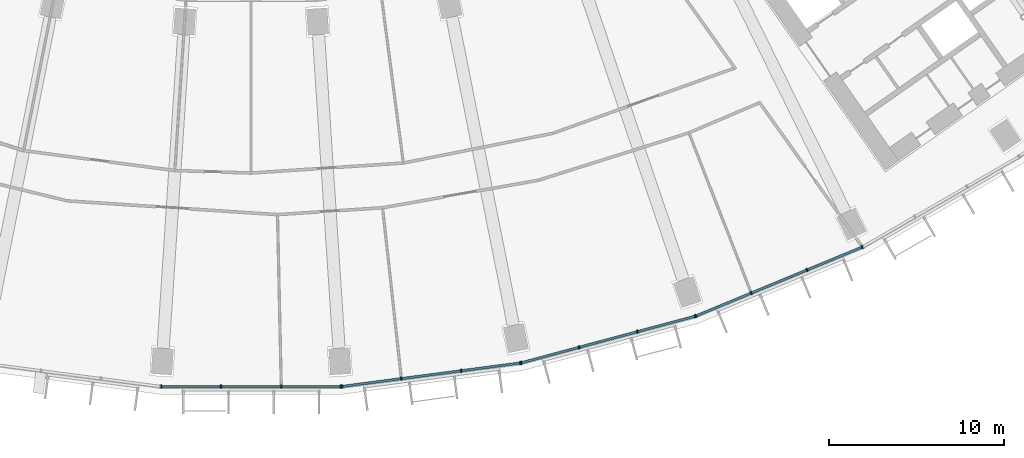
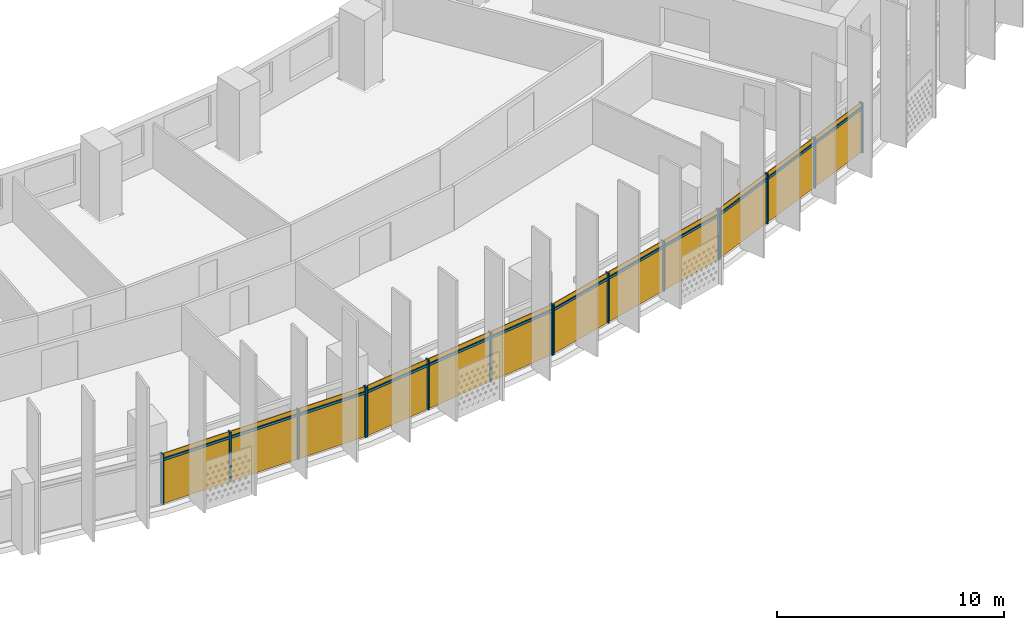
# One storey, part 21 of 33: 28 members, 4 curtain walls.
"""IFC4 building model written with IfcOpenShell, lengths in metres."""

import ifcopenshell
import ifcopenshell.guid

model = None  # the IFC model being written
_history = None  # IfcOwnerHistory: only IFC2X3 demands one
_inside = {}  # id of a spatial element -> (the spatial element, [elements in it])
_under = {}  # id of a project, library or spatial element -> (it, [spatial elements below it])
_declared = {}  # id of a project -> (the project, [libraries it declares])
_typed = {}  # id of a type object -> (the type object, [elements of that type])
_made_of = {}  # id of a material, layer set ... -> (it, [elements and type objects made of it])


def new_model(schema):
    """Start an empty IFC model of exactly this schema.

    Asked for "IFC4X3", IfcOpenShell would pick the latest addendum, in which some entities
    have other attributes; the version numbers below select the first issue.
    IFC2X3 requires an IfcOwnerHistory on every rooted entity: one is made here for all.
    """
    global model, _history
    if schema == "IFC4X3":
        model = ifcopenshell.file(schema_version=(4, 3, 0, 0))
    else:
        model = ifcopenshell.file(schema=schema)
    _inside.clear()
    _under.clear()
    _declared.clear()
    _typed.clear()
    _made_of.clear()
    _history = None
    if model.schema == "IFC2X3":
        org = make("IfcOrganization", Name="unknown")
        user = make(
            "IfcPersonAndOrganization",
            ThePerson=make("IfcPerson", FamilyName="unknown"),
            TheOrganization=org,
        )
        app = make(
            "IfcApplication",
            ApplicationDeveloper=org,
            Version="unknown",
            ApplicationFullName="unknown",
            ApplicationIdentifier="unknown",
        )
        _history = make(
            "IfcOwnerHistory",
            OwningUser=user,
            OwningApplication=app,
            ChangeAction="ADDED",
            CreationDate=0,
        )
    return model


def make(cls, **values):
    """One entity of the class cls with the attributes given. An attribute that is None is left unset."""
    return model.create_entity(
        cls, **{name: value for name, value in values.items() if value is not None}
    )


def rooted(cls, **values):
    """An entity with a GlobalId (a new one), such as an element, a storey or a relation."""
    return make(cls, GlobalId=ifcopenshell.guid.new(), OwnerHistory=_history, **values)


def si_unit(unit_type, name, prefix=None):
    """IfcSIUnit, for example si_unit("LENGTHUNIT", "METRE", prefix="MILLI")."""
    return make("IfcSIUnit", UnitType=unit_type, Prefix=prefix, Name=name)


def assignment(units):
    """IfcUnitAssignment: the units of a project."""
    return None if units is None else make("IfcUnitAssignment", Units=units)


def point(xyz):
    """IfcCartesianPoint."""
    return None if xyz is None else make("IfcCartesianPoint", Coordinates=xyz)


def direction(xyz):
    """IfcDirection."""
    return None if xyz is None else make("IfcDirection", DirectionRatios=xyz)


def frame(location, z_axis=None, x_axis=None):
    """IfcAxis2Placement3D, a coordinate frame: its origin and axes. An axis left out is left unset."""
    return make(
        "IfcAxis2Placement3D",
        Location=point(location),
        Axis=direction(z_axis),
        RefDirection=direction(x_axis),
    )


def frame_2d(location, x_axis=None):
    """IfcAxis2Placement2D, a coordinate frame in the plane: its origin and x axis."""
    return make(
        "IfcAxis2Placement2D", Location=point(location), RefDirection=direction(x_axis)
    )


def origin():
    """The frame at (0, 0, 0) with its axes left unset."""
    return frame((0.0, 0.0, 0.0))


def origin_2d():
    """The frame at (0, 0) in the plane with its x axis left unset."""
    return frame_2d((0.0, 0.0))


def place(relative_to, where):
    """IfcLocalPlacement: puts the frame where relative to a parent placement (None: the world)."""
    return make(
        "IfcLocalPlacement", PlacementRelTo=relative_to, RelativePlacement=where
    )


def context(
    kind, dimensions, precision=None, world=None, true_north=None, identifier=None
):
    """IfcGeometricRepresentationContext, for example the 3D "Model" context."""
    return make(
        "IfcGeometricRepresentationContext",
        ContextIdentifier=identifier,
        ContextType=kind,
        CoordinateSpaceDimension=dimensions,
        Precision=precision,
        WorldCoordinateSystem=world,
        TrueNorth=true_north,
    )


def subcontext(parent, identifier, kind, view, scale=None):
    """IfcGeometricRepresentationSubContext, for example "Body" below "Model"."""
    return make(
        "IfcGeometricRepresentationSubContext",
        ContextIdentifier=identifier,
        ContextType=kind,
        ParentContext=parent,
        TargetScale=scale,
        TargetView=view,
    )


def project(units=None, contexts=None):
    """IfcProject with its units and contexts."""
    return rooted(
        "IfcProject",
        Name="project",
        RepresentationContexts=contexts,
        UnitsInContext=assignment(units),
    )


def spatial(cls, under=None, at=None, **own):
    """A site, building, storey or space (cls), placed at a placement, below another one or the project."""
    s = rooted(cls, ObjectPlacement=at, **own)
    if under is not None:
        _under.setdefault(under.id(), (under, []))[1].append(s)
    return s


def profile(cls, at=None, kind="AREA", **sizes):
    """A parametric profile (cls). Its sizes go by their IFC names, for example OverallWidth=200.0."""
    return make(cls, ProfileType=kind, Position=at, **sizes)


def rectangle(**sizes):
    """IfcRectangleProfileDef."""
    return profile("IfcRectangleProfileDef", **sizes)


def extrude(swept, where, along, depth):
    """IfcExtrudedAreaSolid: the profile swept, set in the frame where, extruded along a direction by depth."""
    return make(
        "IfcExtrudedAreaSolid",
        SweptArea=swept,
        Position=where,
        ExtrudedDirection=direction(along),
        Depth=depth,
    )


def shape(context_of_items, identifier, shape_type, items):
    """IfcShapeRepresentation: the items that make up one representation, for example the "Body"."""
    return make(
        "IfcShapeRepresentation",
        ContextOfItems=context_of_items,
        RepresentationIdentifier=identifier,
        RepresentationType=shape_type,
        Items=items,
    )


def material(Name=None, Category=None):
    """IfcMaterial."""
    return make("IfcMaterial", Name=Name, Category=Category)


def material_profile(
    of_material, cross_section, Name=None, Category=None, Priority=None
):
    """IfcMaterialProfile: a cross section and its material."""
    return make(
        "IfcMaterialProfile",
        Name=Name,
        Material=of_material,
        Profile=cross_section,
        Priority=Priority,
        Category=Category,
    )


def profile_set(profiles, Name=None, composite=None):
    """IfcMaterialProfileSet."""
    return make(
        "IfcMaterialProfileSet",
        Name=Name,
        MaterialProfiles=profiles,
        CompositeProfile=composite,
    )


def made_of(thing, what):
    """Note that an element or type object is made of a material, layer set ...; save() writes the relation."""
    if what is not None:
        _made_of.setdefault(what.id(), (what, []))[1].append(thing)
    return thing


def type_object(cls, material=None, **own):
    """A type object (cls), such as IfcWallType, which elements share."""
    return made_of(rooted(cls, **own), material)


def element(
    cls,
    number,
    at=None,
    inside=None,
    cuts=None,
    type_object=None,
    material=None,
    context=None,
    identifier="Body",
    shape_type=None,
    held_by="IfcProductDefinitionShape",
    body=None,
    shapes=None,
    **own,
):
    """One element of the class cls, such as IfcWall. Its Tag is "e" and its number.

    at: its placement. inside: the storey or other place that contains it. cuts: it is an
    opening in that element (IfcRelVoidsElement). A single representation is given by context,
    identifier, shape_type and body (its items); several are given by shapes. held_by: the class
    of the entity that holds the representations. save() writes the other relations.
    """
    e = rooted(cls, Tag="e%d" % number, ObjectPlacement=at, **own)
    if body is not None:
        shapes = [shape(context, identifier, shape_type, body)]
    if shapes is not None:
        e.Representation = make(held_by, Representations=shapes)
    if inside is not None:
        _inside.setdefault(inside.id(), (inside, []))[1].append(e)
    if cuts is not None:
        rooted(
            "IfcRelVoidsElement", RelatingBuildingElement=cuts, RelatedOpeningElement=e
        )
    if type_object is not None:
        _typed.setdefault(type_object.id(), (type_object, []))[1].append(e)
    return made_of(e, material)


def aggregate(whole, parts):
    """IfcRelAggregates: a whole, such as a stair, and the parts it consists of."""
    return rooted("IfcRelAggregates", RelatingObject=whole, RelatedObjects=parts)


def save(model, path):
    """Write the relations noted so far, then the file.

    IfcRelAggregates (storeys below a building ...), IfcRelContainedInSpatialStructure (elements
    in a storey), IfcRelDefinesByType, IfcRelAssociatesMaterial and IfcRelDeclares: one each for
    every whole, place, type object, material and project.
    """
    for whole, parts in _under.values():
        aggregate(whole, parts)
    for where, things in _inside.values():
        rooted(
            "IfcRelContainedInSpatialStructure",
            RelatedElements=things,
            RelatingStructure=where,
        )
    for kind, things in _typed.values():
        rooted("IfcRelDefinesByType", RelatedObjects=things, RelatingType=kind)
    for what, things in _made_of.values():
        rooted("IfcRelAssociatesMaterial", RelatedObjects=things, RelatingMaterial=what)
    for by, libraries in _declared.values():
        rooted("IfcRelDeclares", RelatingContext=by, RelatedDefinitions=libraries)
    model.write(path)


model = new_model("IFC4")

# Units and contexts
model_context = context("Model", 3, precision=1e-05, world=origin(), true_north=direction((0.0, 1.0)))
body_context = subcontext(model_context, "Body", "Model", "MODEL_VIEW")
ifc_project = project(units=[si_unit("LENGTHUNIT", "METRE"), si_unit("AREAUNIT", "SQUARE_METRE"), si_unit("VOLUMEUNIT", "CUBIC_METRE"), si_unit("PLANEANGLEUNIT", "RADIAN"), si_unit("MASSUNIT", "GRAM", prefix="KILO")], contexts=[model_context])

# Member
ifc_material = material(Name="Aluminium 6063-T6 anodised", Category="aluminium")
ifc_material_profile_1 = material_profile(ifc_material, rectangle(XDim=0.199951171875, YDim=0.070068359375, at=origin_2d()))
ifc_profile_set_1 = profile_set([ifc_material_profile_1], Name="Aluminium 6063-T6 anodised")
member_type_1 = type_object("IfcMemberType", Name="Mullion 70 x 200 aluminium", PredefinedType="MULLION", material=ifc_profile_set_1)
site_placement = place(None, origin())
building_placement = place(site_placement, origin())
storey_placement = place(building_placement, frame((0.0, 0.0, 94.89990234375)))
member_1_placement = place(storey_placement, frame((-5.1513671875, -79.0302734375, 0.0), z_axis=(0.0, 0.0, 1.0), x_axis=(0.0, 1.0, 0.0)))
member_1 = element("IfcMember", 1, at=member_1_placement, type_object=member_type_1, Name="e-cw1-L20-out09/M00", PredefinedType="MULLION", context=body_context, shape_type="SweptSolid", body=[
    extrude(rectangle(XDim=0.199951171875, YDim=0.070068359375, at=origin_2d()), origin(), (0.0, 0.0, 1.0), 2.7001953125),
])

member_2_placement = place(storey_placement, frame((-1.728759765625, -79.0302734375, 0.0), z_axis=(0.0, 0.0, 1.0), x_axis=(0.0, 1.0, 0.0)))
member_2 = element("IfcMember", 2, at=member_2_placement, type_object=member_type_1, Name="e-cw1-L20-out09/M01", PredefinedType="MULLION", context=body_context, shape_type="SweptSolid", body=[
    extrude(rectangle(XDim=0.199951171875, YDim=0.070068359375, at=origin_2d()), origin(), (0.0, 0.0, 1.0), 2.7001953125),
])

member_3_placement = place(storey_placement, frame((1.728759765625, -79.0302734375, 0.0), z_axis=(0.0, 0.0, 1.0), x_axis=(0.0, 1.0, 0.0)))
member_3 = element("IfcMember", 3, at=member_3_placement, type_object=member_type_1, Name="e-cw1-L20-out09/M02", PredefinedType="MULLION", context=body_context, shape_type="SweptSolid", body=[
    extrude(rectangle(XDim=0.199951171875, YDim=0.070068359375, at=origin_2d()), origin(), (0.0, 0.0, 1.0), 2.7001953125),
])

member_4_placement = place(storey_placement, frame((5.1513671875, -79.0302734375, 0.0), z_axis=(0.0, 0.0, 1.0), x_axis=(0.0, 1.0, 0.0)))
member_4 = element("IfcMember", 4, at=member_4_placement, type_object=member_type_1, Name="e-cw1-L20-out09/M03", PredefinedType="MULLION", context=body_context, shape_type="SweptSolid", body=[
    extrude(rectangle(XDim=0.199951171875, YDim=0.070068359375, at=origin_2d()), origin(), (0.0, 0.0, 1.0), 2.7001953125),
])

member_5_placement = place(storey_placement, frame((5.2080078125, -79.026611328125, 0.0), z_axis=(0.0, 0.0, 1.0), x_axis=(-0.13052619222, 0.991444861374, 0.0)))
member_5 = element("IfcMember", 5, at=member_5_placement, type_object=member_type_1, Name="e-cw1-L20-out10/M00", PredefinedType="MULLION", context=body_context, shape_type="SweptSolid", body=[
    extrude(rectangle(XDim=0.199951171875, YDim=0.070068359375, at=origin_2d()), origin(), (0.0, 0.0, 1.0), 2.7001953125),
])

member_6_placement = place(storey_placement, frame((8.6015625, -78.579833984375, 0.0), z_axis=(0.0, 0.0, 1.0), x_axis=(-0.13052619222, 0.991444861374, 0.0)))
member_6 = element("IfcMember", 6, at=member_6_placement, type_object=member_type_1, Name="e-cw1-L20-out10/M01", PredefinedType="MULLION", context=body_context, shape_type="SweptSolid", body=[
    extrude(rectangle(XDim=0.199951171875, YDim=0.070068359375, at=origin_2d()), origin(), (0.0, 0.0, 1.0), 2.7001953125),
])

member_7_placement = place(storey_placement, frame((12.029541015625, -78.12841796875, 0.0), z_axis=(0.0, 0.0, 1.0), x_axis=(-0.13052619222, 0.991444861374, 0.0)))
member_7 = element("IfcMember", 7, at=member_7_placement, type_object=member_type_1, Name="e-cw1-L20-out10/M02", PredefinedType="MULLION", context=body_context, shape_type="SweptSolid", body=[
    extrude(rectangle(XDim=0.199951171875, YDim=0.070068359375, at=origin_2d()), origin(), (0.0, 0.0, 1.0), 2.7001953125),
])

member_8_placement = place(storey_placement, frame((15.4228515625, -77.681640625, 0.0), z_axis=(0.0, 0.0, 1.0), x_axis=(-0.13052619222, 0.991444861374, 0.0)))
member_8 = element("IfcMember", 8, at=member_8_placement, type_object=member_type_1, Name="e-cw1-L20-out10/M03", PredefinedType="MULLION", context=body_context, shape_type="SweptSolid", body=[
    extrude(rectangle(XDim=0.199951171875, YDim=0.070068359375, at=origin_2d()), origin(), (0.0, 0.0, 1.0), 2.7001953125),
])

member_9_placement = place(storey_placement, frame((15.478515625, -77.670654296875, 0.0), z_axis=(0.0, 0.0, 1.0), x_axis=(-0.258819045103, 0.965925826289, 0.0)))
member_9 = element("IfcMember", 9, at=member_9_placement, type_object=member_type_1, Name="e-cw1-L20-out11/M00", PredefinedType="MULLION", context=body_context, shape_type="SweptSolid", body=[
    extrude(rectangle(XDim=0.199951171875, YDim=0.070068359375, at=origin_2d()), origin(), (0.0, 0.0, 1.0), 2.7001953125),
])

member_10_placement = place(storey_placement, frame((18.78466796875, -76.78466796875, 0.0), z_axis=(0.0, 0.0, 1.0), x_axis=(-0.258819045103, 0.965925826289, 0.0)))
member_10 = element("IfcMember", 10, at=member_10_placement, type_object=member_type_1, Name="e-cw1-L20-out11/M01", PredefinedType="MULLION", context=body_context, shape_type="SweptSolid", body=[
    extrude(rectangle(XDim=0.199951171875, YDim=0.070068359375, at=origin_2d()), origin(), (0.0, 0.0, 1.0), 2.7001953125),
])

member_11_placement = place(storey_placement, frame((22.12451171875, -75.889892578125, 0.0), z_axis=(0.0, 0.0, 1.0), x_axis=(-0.258819045103, 0.965925826289, 0.0)))
member_11 = element("IfcMember", 11, at=member_11_placement, type_object=member_type_1, Name="e-cw1-L20-out11/M02", PredefinedType="MULLION", context=body_context, shape_type="SweptSolid", body=[
    extrude(rectangle(XDim=0.199951171875, YDim=0.070068359375, at=origin_2d()), origin(), (0.0, 0.0, 1.0), 2.7001953125),
])

member_12_placement = place(storey_placement, frame((25.430419921875, -75.00390625, 0.0), z_axis=(0.0, 0.0, 1.0), x_axis=(-0.258819045103, 0.965925826289, 0.0)))
member_12 = element("IfcMember", 12, at=member_12_placement, type_object=member_type_1, Name="e-cw1-L20-out11/M03", PredefinedType="MULLION", context=body_context, shape_type="SweptSolid", body=[
    extrude(rectangle(XDim=0.199951171875, YDim=0.070068359375, at=origin_2d()), origin(), (0.0, 0.0, 1.0), 2.7001953125),
])

member_13_placement = place(storey_placement, frame((25.484130859375, -74.98583984375, 0.0), z_axis=(0.0, 0.0, 1.0), x_axis=(-0.382683432365, 0.923879532511, 0.0)))
member_13 = element("IfcMember", 13, at=member_13_placement, type_object=member_type_1, Name="e-cw1-L20-out12/M00", PredefinedType="MULLION", context=body_context, shape_type="SweptSolid", body=[
    extrude(rectangle(XDim=0.199951171875, YDim=0.070068359375, at=origin_2d()), origin(), (0.0, 0.0, 1.0), 2.7001953125),
])

member_14_placement = place(storey_placement, frame((28.646240234375, -73.676025390625, 0.0), z_axis=(0.0, 0.0, 1.0), x_axis=(-0.382683432365, 0.923879532511, 0.0)))
member_14 = element("IfcMember", 14, at=member_14_placement, type_object=member_type_1, Name="e-cw1-L20-out12/M01", PredefinedType="MULLION", context=body_context, shape_type="SweptSolid", body=[
    extrude(rectangle(XDim=0.199951171875, YDim=0.070068359375, at=origin_2d()), origin(), (0.0, 0.0, 1.0), 2.7001953125),
])

member_15_placement = place(storey_placement, frame((31.8408203125, -72.352783203125, 0.0), z_axis=(0.0, 0.0, 1.0), x_axis=(-0.382683432365, 0.923879532511, 0.0)))
member_15 = element("IfcMember", 15, at=member_15_placement, type_object=member_type_1, Name="e-cw1-L20-out12/M02", PredefinedType="MULLION", context=body_context, shape_type="SweptSolid", body=[
    extrude(rectangle(XDim=0.199951171875, YDim=0.070068359375, at=origin_2d()), origin(), (0.0, 0.0, 1.0), 2.7001953125),
])

member_16_placement = place(storey_placement, frame((35.0029296875, -71.04296875, 0.0), z_axis=(0.0, 0.0, 1.0), x_axis=(-0.382683432365, 0.923879532511, 0.0)))
member_16 = element("IfcMember", 16, at=member_16_placement, type_object=member_type_1, Name="e-cw1-L20-out12/M03", PredefinedType="MULLION", context=body_context, shape_type="SweptSolid", body=[
    extrude(rectangle(XDim=0.199951171875, YDim=0.070068359375, at=origin_2d()), origin(), (0.0, 0.0, 1.0), 2.7001953125),
])

ifc_material_profile_2 = material_profile(ifc_material, rectangle(XDim=0.139892578125, YDim=0.1201171875, at=origin_2d()))
ifc_profile_set_2 = profile_set([ifc_material_profile_2], Name="Aluminium 6063-T6 anodised")
member_type_2 = type_object("IfcMemberType", Name="Transom 120 x 140 aluminium", PredefinedType="USERDEFINED", material=ifc_profile_set_2)
member_17_placement = place(storey_placement, frame((-5.116455078125, -79.0302734375, 2.400146484375), z_axis=(1.0, 0.0, 0.0), x_axis=(0.0, 1.0, 0.0)))
member_17 = element("IfcMember", 17, at=member_17_placement, type_object=member_type_2, Name="e-cw1-L20-out09/T00", ObjectType="TRANSOM", PredefinedType="USERDEFINED", context=body_context, shape_type="SweptSolid", body=[
    extrude(rectangle(XDim=0.139892578125, YDim=0.1201171875, at=origin_2d()), origin(), (0.0, 0.0, 1.0), 3.3525390625),
])

member_18_placement = place(storey_placement, frame((-1.69384765625, -79.0302734375, 2.400146484375), z_axis=(1.0, 0.0, 0.0), x_axis=(0.0, 1.0, 0.0)))
member_18 = element("IfcMember", 18, at=member_18_placement, type_object=member_type_2, Name="e-cw1-L20-out09/T01", ObjectType="TRANSOM", PredefinedType="USERDEFINED", context=body_context, shape_type="SweptSolid", body=[
    extrude(rectangle(XDim=0.139892578125, YDim=0.1201171875, at=origin_2d()), origin(), (0.0, 0.0, 1.0), 3.3876953125),
])

member_19_placement = place(storey_placement, frame((1.763916015625, -79.0302734375, 2.400146484375), z_axis=(1.0, 0.0, 0.0), x_axis=(0.0, 1.0, 0.0)))
member_19 = element("IfcMember", 19, at=member_19_placement, type_object=member_type_2, Name="e-cw1-L20-out09/T02", ObjectType="TRANSOM", PredefinedType="USERDEFINED", context=body_context, shape_type="SweptSolid", body=[
    extrude(rectangle(XDim=0.139892578125, YDim=0.1201171875, at=origin_2d()), origin(), (0.0, 0.0, 1.0), 3.3525390625),
])

member_20_placement = place(storey_placement, frame((5.242919921875, -79.02197265625, 2.400146484375), z_axis=(0.991439665896, 0.130565649721, 0.0), x_axis=(-0.130565649721, 0.991439665896, 0.0)))
member_20 = element("IfcMember", 20, at=member_20_placement, type_object=member_type_2, Name="e-cw1-L20-out10/T00", ObjectType="TRANSOM", PredefinedType="USERDEFINED", context=body_context, shape_type="SweptSolid", body=[
    extrude(rectangle(XDim=0.139892578125, YDim=0.1201171875, at=origin_2d()), origin(), (0.0, 0.0, 1.0), 3.352783203125),
])

member_21_placement = place(storey_placement, frame((8.63623046875, -78.5751953125, 2.400146484375), z_axis=(0.991446198807, 0.130516033004, 0.0), x_axis=(-0.130516033004, 0.991446198807, 0.0)))
member_21 = element("IfcMember", 21, at=member_21_placement, type_object=member_type_2, Name="e-cw1-L20-out10/T01", ObjectType="TRANSOM", PredefinedType="USERDEFINED", context=body_context, shape_type="SweptSolid", body=[
    extrude(rectangle(XDim=0.139892578125, YDim=0.1201171875, at=origin_2d()), origin(), (0.0, 0.0, 1.0), 3.3876953125),
])

member_22_placement = place(storey_placement, frame((12.064208984375, -78.123779296875, 2.400146484375), z_axis=(0.991449089759, 0.130494070426, 0.0), x_axis=(-0.130494070426, 0.991449089759, 0.0)))
member_22 = element("IfcMember", 22, at=member_22_placement, type_object=member_type_2, Name="e-cw1-L20-out10/T02", ObjectType="TRANSOM", PredefinedType="USERDEFINED", context=body_context, shape_type="SweptSolid", body=[
    extrude(rectangle(XDim=0.139892578125, YDim=0.1201171875, at=origin_2d()), origin(), (0.0, 0.0, 1.0), 3.3525390625),
])

member_23_placement = place(storey_placement, frame((15.512451171875, -77.66162109375, 2.400146484375), z_axis=(0.965927247937, 0.258813739382, 0.0), x_axis=(-0.258813739382, 0.965927247937, 0.0)))
member_23 = element("IfcMember", 23, at=member_23_placement, type_object=member_type_2, Name="e-cw1-L20-out11/T00", ObjectType="TRANSOM", PredefinedType="USERDEFINED", context=body_context, shape_type="SweptSolid", body=[
    extrude(rectangle(XDim=0.139892578125, YDim=0.1201171875, at=origin_2d()), origin(), (0.0, 0.0, 1.0), 3.3525390625),
])

member_24_placement = place(storey_placement, frame((18.818359375, -76.775634765625, 2.400146484375), z_axis=(0.965931646033, 0.258797324547, 0.0), x_axis=(-0.258797324547, 0.965931646033, 0.0)))
member_24 = element("IfcMember", 24, at=member_24_placement, type_object=member_type_2, Name="e-cw1-L20-out11/T01", ObjectType="TRANSOM", PredefinedType="USERDEFINED", context=body_context, shape_type="SweptSolid", body=[
    extrude(rectangle(XDim=0.139892578125, YDim=0.1201171875, at=origin_2d()), origin(), (0.0, 0.0, 1.0), 3.3876953125),
])

member_25_placement = place(storey_placement, frame((22.158203125, -75.880859375, 2.400146484375), z_axis=(0.965932125453, 0.258795535157, 0.0), x_axis=(-0.258795535157, 0.965932125453, 0.0)))
member_25 = element("IfcMember", 25, at=member_25_placement, type_object=member_type_2, Name="e-cw1-L20-out11/T02", ObjectType="TRANSOM", PredefinedType="USERDEFINED", context=body_context, shape_type="SweptSolid", body=[
    extrude(rectangle(XDim=0.139892578125, YDim=0.1201171875, at=origin_2d()), origin(), (0.0, 0.0, 1.0), 3.352783203125),
])

member_26_placement = place(storey_placement, frame((25.5166015625, -74.972412109375, 2.400146484375), z_axis=(0.923882814237, 0.382675509483, 0.0), x_axis=(-0.382675509483, 0.923882814237, 0.0)))
member_26 = element("IfcMember", 26, at=member_26_placement, type_object=member_type_2, Name="e-cw1-L20-out12/T00", ObjectType="TRANSOM", PredefinedType="USERDEFINED", context=body_context, shape_type="SweptSolid", body=[
    extrude(rectangle(XDim=0.139892578125, YDim=0.1201171875, at=origin_2d()), origin(), (0.0, 0.0, 1.0), 3.3525390625),
])

member_27_placement = place(storey_placement, frame((28.6787109375, -73.66259765625, 2.400146484375), z_axis=(0.923874529423, 0.382695510666, 0.0), x_axis=(-0.382695510666, 0.923874529423, 0.0)))
member_27 = element("IfcMember", 27, at=member_27_placement, type_object=member_type_2, Name="e-cw1-L20-out12/T01", ObjectType="TRANSOM", PredefinedType="USERDEFINED", context=body_context, shape_type="SweptSolid", body=[
    extrude(rectangle(XDim=0.139892578125, YDim=0.1201171875, at=origin_2d()), origin(), (0.0, 0.0, 1.0), 3.387451171875),
])

member_28_placement = place(storey_placement, frame((31.873046875, -72.33935546875, 2.400146484375), z_axis=(0.923882814237, 0.382675509483, 0.0), x_axis=(-0.382675509483, 0.923882814237, 0.0)))
member_28 = element("IfcMember", 28, at=member_28_placement, type_object=member_type_2, Name="e-cw1-L20-out12/T02", ObjectType="TRANSOM", PredefinedType="USERDEFINED", context=body_context, shape_type="SweptSolid", body=[
    extrude(rectangle(XDim=0.139892578125, YDim=0.1201171875, at=origin_2d()), origin(), (0.0, 0.0, 1.0), 3.3525390625),
])

# Site, building, storey
site = spatial("IfcSite", under=ifc_project, at=site_placement, CompositionType="ELEMENT")
building = spatial("IfcBuilding", under=site, at=building_placement, Name="Qamariyya Broadcast Tower", CompositionType="ELEMENT")
storey = spatial("IfcBuildingStorey", under=building, at=storey_placement, Name="L20", CompositionType="ELEMENT", Elevation=94.89990234375)

# Curtain wall
curtain_wall_type = type_object("IfcCurtainWallType", Name="Unitised curtain wall, anodised aluminium", PredefinedType="NOTDEFINED", material=ifc_material)
curtain_wall_1_placement = place(storey_placement, origin())
curtain_wall_1 = element("IfcCurtainWall", 29, at=curtain_wall_1_placement, inside=storey, type_object=curtain_wall_type, Name="e-cw1-L20-out09", PredefinedType="NOTDEFINED", context=body_context, shape_type="SweptSolid", body=[
    extrude(rectangle(XDim=3.352783203125, YDim=0.031982421875, at=origin_2d()), frame((-3.440185546875, -79.0302734375, 0.0), x_axis=(1.0, 0.0, 0.0)), (0.0, 0.0, 1.0), 2.340087890625),
    extrude(rectangle(XDim=3.352783203125, YDim=0.031982421875, at=origin_2d()), frame((-3.440185546875, -79.0302734375, 2.460205078125), x_axis=(1.0, 0.0, 0.0)), (0.0, 0.0, 1.0), 0.239990234375),
    extrude(rectangle(XDim=3.3876953125, YDim=0.031982421875, at=origin_2d()), frame((0.0, -79.0302734375, 0.0), x_axis=(1.0, 0.0, 0.0)), (0.0, 0.0, 1.0), 2.340087890625),
    extrude(rectangle(XDim=3.3876953125, YDim=0.031982421875, at=origin_2d()), frame((0.0, -79.0302734375, 2.460205078125), x_axis=(1.0, 0.0, 0.0)), (0.0, 0.0, 1.0), 0.239990234375),
    extrude(rectangle(XDim=3.352783203125, YDim=0.031982421875, at=origin_2d()), frame((3.440185546875, -79.0302734375, 0.0), x_axis=(1.0, 0.0, 0.0)), (0.0, 0.0, 1.0), 2.340087890625),
    extrude(rectangle(XDim=3.352783203125, YDim=0.031982421875, at=origin_2d()), frame((3.440185546875, -79.0302734375, 2.460205078125), x_axis=(1.0, 0.0, 0.0)), (0.0, 0.0, 1.0), 0.239990234375),
])

aggregate(curtain_wall_1, [member_1, member_2, member_3, member_4, member_17, member_18, member_19])

curtain_wall_2_placement = place(storey_placement, origin())
curtain_wall_2 = element("IfcCurtainWall", 30, at=curtain_wall_2_placement, inside=storey, type_object=curtain_wall_type, Name="e-cw1-L20-out10", PredefinedType="NOTDEFINED", context=body_context, shape_type="SweptSolid", body=[
    extrude(rectangle(XDim=3.3525390625, YDim=0.031982421875, at=origin_2d()), frame((6.90478515625, -78.802978515625, 0.0), x_axis=(0.991447084105, 0.13050930779, 0.0)), (0.0, 0.0, 1.0), 2.340087890625),
    extrude(rectangle(XDim=3.3525390625, YDim=0.031982421875, at=origin_2d()), frame((6.90478515625, -78.802978515625, 2.460205078125), x_axis=(0.991447084105, 0.13050930779, 0.0)), (0.0, 0.0, 1.0), 0.239990234375),
    extrude(rectangle(XDim=3.3876953125, YDim=0.031982421875, at=origin_2d()), frame((10.3154296875, -78.35400390625, 0.0), x_axis=(0.991447084105, 0.13050930779, 0.0)), (0.0, 0.0, 1.0), 2.340087890625),
    extrude(rectangle(XDim=3.3876953125, YDim=0.031982421875, at=origin_2d()), frame((10.3154296875, -78.35400390625, 2.460205078125), x_axis=(0.991447084105, 0.13050930779, 0.0)), (0.0, 0.0, 1.0), 0.239990234375),
    extrude(rectangle(XDim=3.3525390625, YDim=0.031982421875, at=origin_2d()), frame((13.72607421875, -77.9052734375, 0.0), x_axis=(0.991447084105, 0.13050930779, 0.0)), (0.0, 0.0, 1.0), 2.340087890625),
    extrude(rectangle(XDim=3.3525390625, YDim=0.031982421875, at=origin_2d()), frame((13.72607421875, -77.9052734375, 2.460205078125), x_axis=(0.991447084105, 0.13050930779, 0.0)), (0.0, 0.0, 1.0), 0.239990234375),
])

aggregate(curtain_wall_2, [member_5, member_6, member_7, member_8, member_20, member_21, member_22])

curtain_wall_3_placement = place(storey_placement, origin())
curtain_wall_3 = element("IfcCurtainWall", 31, at=curtain_wall_3_placement, inside=storey, type_object=curtain_wall_type, Name="e-cw1-L20-out11", PredefinedType="NOTDEFINED", context=body_context, shape_type="SweptSolid", body=[
    extrude(rectangle(XDim=3.352783203125, YDim=0.031982421875, at=origin_2d()), frame((17.131591796875, -77.227783203125, 0.0), x_axis=(0.965923677743, 0.258827063454, 0.0)), (0.0, 0.0, 1.0), 2.340087890625),
    extrude(rectangle(XDim=3.352783203125, YDim=0.031982421875, at=origin_2d()), frame((17.131591796875, -77.227783203125, 2.460205078125), x_axis=(0.965923677743, 0.258827063454, 0.0)), (0.0, 0.0, 1.0), 0.239990234375),
    extrude(rectangle(XDim=3.3876953125, YDim=0.031982421875, at=origin_2d()), frame((20.45458984375, -76.33740234375, 0.0), x_axis=(0.965923677743, 0.258827063454, 0.0)), (0.0, 0.0, 1.0), 2.340087890625),
    extrude(rectangle(XDim=3.3876953125, YDim=0.031982421875, at=origin_2d()), frame((20.45458984375, -76.33740234375, 2.460205078125), x_axis=(0.965923677743, 0.258827063454, 0.0)), (0.0, 0.0, 1.0), 0.239990234375),
    extrude(rectangle(XDim=3.352783203125, YDim=0.031982421875, at=origin_2d()), frame((23.777587890625, -75.44677734375, 0.0), x_axis=(0.965923677743, 0.258827063454, 0.0)), (0.0, 0.0, 1.0), 2.340087890625),
    extrude(rectangle(XDim=3.352783203125, YDim=0.031982421875, at=origin_2d()), frame((23.777587890625, -75.44677734375, 2.460205078125), x_axis=(0.965923677743, 0.258827063454, 0.0)), (0.0, 0.0, 1.0), 0.239990234375),
])

aggregate(curtain_wall_3, [member_9, member_10, member_11, member_12, member_23, member_24, member_25])

curtain_wall_4_placement = place(storey_placement, origin())
curtain_wall_4 = element("IfcCurtainWall", 32, at=curtain_wall_4_placement, inside=storey, type_object=curtain_wall_type, Name="e-cw1-L20-out12", PredefinedType="NOTDEFINED", context=body_context, shape_type="SweptSolid", body=[
    extrude(rectangle(XDim=3.3525390625, YDim=0.031982421875, at=origin_2d()), frame((27.065185546875, -74.3310546875, 0.0), x_axis=(0.923872250857, 0.382701011361, 0.0)), (0.0, 0.0, 1.0), 2.340087890625),
    extrude(rectangle(XDim=3.3525390625, YDim=0.031982421875, at=origin_2d()), frame((27.065185546875, -74.3310546875, 2.460205078125), x_axis=(0.923872250857, 0.382701011361, 0.0)), (0.0, 0.0, 1.0), 0.239990234375),
    extrude(rectangle(XDim=3.3876953125, YDim=0.031982421875, at=origin_2d()), frame((30.24365234375, -73.014404296875, 0.0), x_axis=(0.923872250857, 0.382701011361, 0.0)), (0.0, 0.0, 1.0), 2.340087890625),
    extrude(rectangle(XDim=3.3876953125, YDim=0.031982421875, at=origin_2d()), frame((30.24365234375, -73.014404296875, 2.460205078125), x_axis=(0.923872250857, 0.382701011361, 0.0)), (0.0, 0.0, 1.0), 0.239990234375),
    extrude(rectangle(XDim=3.3525390625, YDim=0.031982421875, at=origin_2d()), frame((33.421875, -71.69775390625, 0.0), x_axis=(0.923872250857, 0.382701011361, 0.0)), (0.0, 0.0, 1.0), 2.340087890625),
    extrude(rectangle(XDim=3.3525390625, YDim=0.031982421875, at=origin_2d()), frame((33.421875, -71.69775390625, 2.460205078125), x_axis=(0.923872250857, 0.382701011361, 0.0)), (0.0, 0.0, 1.0), 0.239990234375),
])

aggregate(curtain_wall_4, [member_13, member_14, member_15, member_16, member_26, member_27, member_28])

save(model, "model.ifc")
